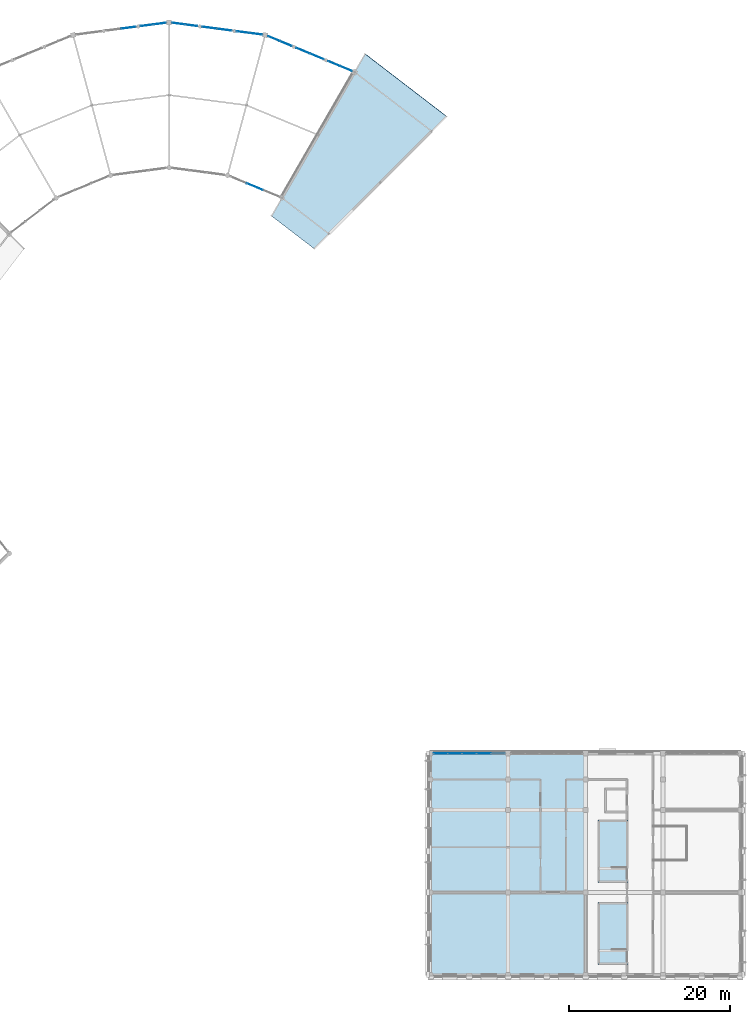
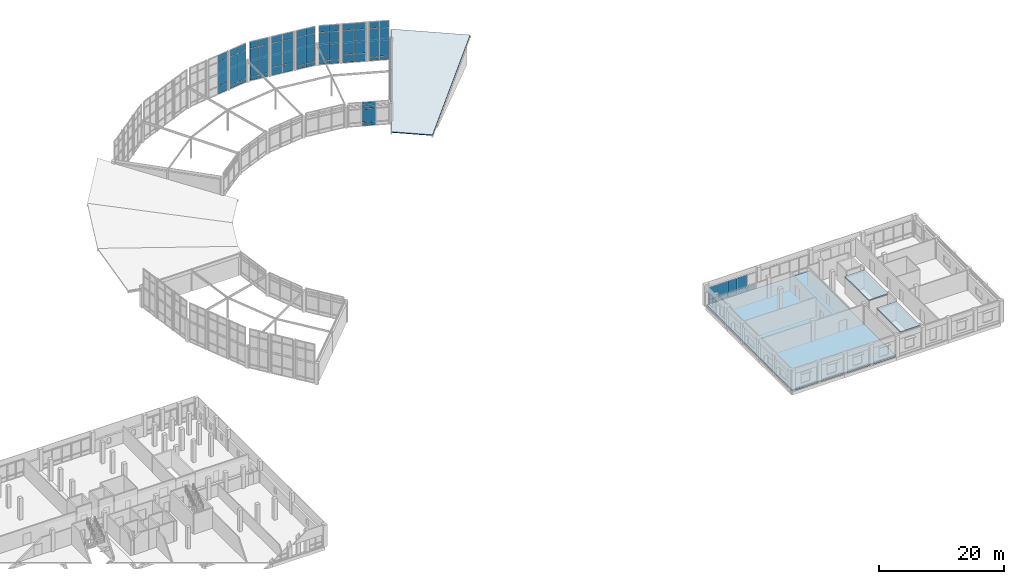
# One storey, part 71 of 93: 57 plates, 4 slabs, 10 elements without a shape of their own.
"""IFC4 building model written with IfcOpenShell, lengths in metres."""

from ifc_helpers import new_model, si_unit, direction, frame, origin, origin_2d, place, context, subcontext, project, spatial, polyline, rectangle, outline, extrude, material, layer, layer_set, type_object, element, aggregate, save


model = new_model("IFC4")

# Units and contexts
model_context = context("Model", 3, precision=1e-05, world=origin(), true_north=direction((0.0, 1.0)))
body_context = subcontext(model_context, "Body", "Model", "MODEL_VIEW")
ifc_project = project(units=[si_unit("LENGTHUNIT", "METRE"), si_unit("AREAUNIT", "SQUARE_METRE"), si_unit("VOLUMEUNIT", "CUBIC_METRE"), si_unit("PLANEANGLEUNIT", "RADIAN"), si_unit("MASSUNIT", "GRAM", prefix="KILO")], contexts=[model_context])

# Site, building, storey
site_placement = place(None, origin())
site = spatial("IfcSite", under=ifc_project, at=site_placement, CompositionType="ELEMENT")
building_placement = place(site_placement, origin())
building = spatial("IfcBuilding", under=site, at=building_placement, Name="Vondelvale Polytechnic", CompositionType="ELEMENT")
storey_placement = place(building_placement, frame((0.0, 0.0, 18.0)))
storey = spatial("IfcBuildingStorey", under=building, at=storey_placement, Name="L04", CompositionType="ELEMENT", Elevation=18.0)

# Curtain wall, plates
ifc_material_1 = material(Name="Anodised extruded aluminium 6063-T6", Category="aluminium")
curtain_wall_type_1 = type_object("IfcCurtainWallType", Name="CW-STUDIO-NORTH", PredefinedType="NOTDEFINED", material=ifc_material_1)
curtain_wall_1_placement = place(storey_placement, origin())
curtain_wall_1 = element("IfcCurtainWall", 1, at=curtain_wall_1_placement, inside=storey, type_object=curtain_wall_type_1, Name="L04 architectural curtain wall CW-01-068", PredefinedType="NOTDEFINED")
ifc_material_2 = material(Name="Double-glazed low-E insulated architectural glass", Category="glass")
ifc_layer_1 = layer(ifc_material_2, 0.028076171875)
ifc_layer_set_1 = layer_set([ifc_layer_1], Name="CW-PANEL-GLAZED")
plate_type_1 = type_object("IfcPlateType", Name="CW-PANEL-GLAZED", PredefinedType="CURTAIN_PANEL", material=ifc_layer_set_1)
plate_1_placement = place(storey_placement, frame((135.64013671875, 27.39990234375, 0.8798828125), z_axis=(0.0, 0.0, 1.0), x_axis=(1.0, 0.0, 0.0)))
plate_1 = element("IfcPlate", 2, at=plate_1_placement, type_object=plate_type_1, Name="CW-01-068 panel 1.2", PredefinedType="CURTAIN_PANEL", context=body_context, shape_type="SweptSolid", body=[
    extrude(rectangle(XDim=1.6904296875, YDim=0.028076171875, at=origin_2d()), origin(), (0.0, 0.0, 1.0), 2.360107421875),
])
plate_2_placement = place(storey_placement, frame((137.412109375, 27.39990234375, 0.8798828125), z_axis=(0.0, 0.0, 1.0), x_axis=(1.0, 0.0, 0.0)))
plate_2 = element("IfcPlate", 3, at=plate_2_placement, type_object=plate_type_1, Name="CW-01-068 panel 2.2", PredefinedType="CURTAIN_PANEL", context=body_context, shape_type="SweptSolid", body=[
    extrude(rectangle(XDim=1.722900390625, YDim=0.028076171875, at=origin_2d()), origin(), (0.0, 0.0, 1.0), 2.360107421875),
])
plate_3_placement = place(storey_placement, frame((139.199951171875, 27.39990234375, 0.8798828125), z_axis=(0.0, 0.0, 1.0), x_axis=(1.0, 0.0, 0.0)))
plate_3 = element("IfcPlate", 4, at=plate_3_placement, type_object=plate_type_1, Name="CW-01-068 panel 3.2", PredefinedType="CURTAIN_PANEL", context=body_context, shape_type="SweptSolid", body=[
    extrude(rectangle(XDim=1.722900390625, YDim=0.028076171875, at=origin_2d()), origin(), (0.0, 0.0, 1.0), 2.360107421875),
])
plate_4_placement = place(storey_placement, frame((140.988037109375, 27.39990234375, 0.8798828125), z_axis=(0.0, 0.0, 1.0), x_axis=(1.0, 0.0, 0.0)))
plate_4 = element("IfcPlate", 5, at=plate_4_placement, type_object=plate_type_1, Name="CW-01-068 panel 4.2", PredefinedType="CURTAIN_PANEL", context=body_context, shape_type="SweptSolid", body=[
    extrude(rectangle(XDim=1.722900390625, YDim=0.028076171875, at=origin_2d()), origin(), (0.0, 0.0, 1.0), 2.360107421875),
])

curtain_wall_type_2 = type_object("IfcCurtainWallType", Name="CW-RING-CLOISTER", PredefinedType="NOTDEFINED", material=ifc_material_1)
curtain_wall_2_placement = place(storey_placement, origin())
curtain_wall_2 = element("IfcCurtainWall", 6, at=curtain_wall_2_placement, inside=storey, type_object=curtain_wall_type_2, Name="L04 architectural curtain wall CW-03-127", PredefinedType="NOTDEFINED")
plate_5_placement = place(storey_placement, frame((112.62353515625, 97.647216796875, 0.78271484375), z_axis=(0.0, 0.0, 1.0), x_axis=(-0.923881562419, 0.382678531697, 0.0)))
plate_5 = element("IfcPlate", 7, at=plate_5_placement, type_object=plate_type_1, Name="CW-03-127 panel 2.2", PredefinedType="CURTAIN_PANEL", context=body_context, shape_type="SweptSolid", body=[
    extrude(rectangle(XDim=2.146484375, YDim=0.028076171875, at=origin_2d()), origin(), (0.0, 0.0, 1.0), 2.548095703125),
])
plate_6_placement = place(storey_placement, frame((112.62353515625, 97.647216796875, 3.395751953125), z_axis=(0.0, 0.0, 1.0), x_axis=(-0.923881562419, 0.382678531697, 0.0)))
plate_6 = element("IfcPlate", 8, at=plate_6_placement, type_object=plate_type_1, Name="CW-03-127 panel 2.3", PredefinedType="CURTAIN_PANEL", context=body_context, shape_type="SweptSolid", body=[
    extrude(rectangle(XDim=2.146484375, YDim=0.028076171875, at=origin_2d()), origin(), (0.0, 0.0, 1.0), 1.25244140625),
])

ifc_material_3 = material(Name="Glulam GL18 structural Tasmanian oak (fb = 42 MPa)", Category="wood")
curtain_wall_type_3 = type_object("IfcCurtainWallType", Name="CW-RING-OUTER", PredefinedType="NOTDEFINED", material=ifc_material_3)
curtain_wall_3_placement = place(storey_placement, origin())
curtain_wall_3 = element("IfcCurtainWall", 9, at=curtain_wall_3_placement, inside=storey, type_object=curtain_wall_type_3, Name="L04 architectural curtain wall CW-04-128", PredefinedType="NOTDEFINED")
plate_7_placement = place(storey_placement, frame((123.92578125, 112.2822265625, 0.780029296875), z_axis=(0.0, 0.0, 1.0), x_axis=(-0.923882033442, 0.382677394529, 0.0)))
plate_7 = element("IfcPlate", 10, at=plate_7_placement, type_object=plate_type_1, Name="CW-04-128 panel 1.2", PredefinedType="CURTAIN_PANEL", context=body_context, shape_type="SweptSolid", body=[
    extrude(rectangle(XDim=1.530029296875, YDim=0.028076171875, at=origin_2d()), origin(), (0.0, 0.0, 1.0), 5.50146484375),
])
plate_8_placement = place(storey_placement, frame((123.92578125, 112.2822265625, 6.34130859375), z_axis=(0.0, 0.0, 1.0), x_axis=(-0.923882033442, 0.382677394529, 0.0)))
plate_8 = element("IfcPlate", 11, at=plate_8_placement, type_object=plate_type_1, Name="CW-04-128 panel 1.3", PredefinedType="CURTAIN_PANEL", context=body_context, shape_type="SweptSolid", body=[
    extrude(rectangle(XDim=1.530029296875, YDim=0.028076171875, at=origin_2d()), origin(), (0.0, 0.0, 1.0), 1.260009765625),
])
plate_9_placement = place(storey_placement, frame((122.4521484375, 112.892578125, 0.780029296875), z_axis=(0.0, 0.0, 1.0), x_axis=(-0.923882033442, 0.382677394529, 0.0)))
plate_9 = element("IfcPlate", 12, at=plate_9_placement, type_object=plate_type_1, Name="CW-04-128 panel 2.2", PredefinedType="CURTAIN_PANEL", context=body_context, shape_type="SweptSolid", body=[
    extrude(rectangle(XDim=1.530029296875, YDim=0.028076171875, at=origin_2d()), origin(), (0.0, 0.0, 1.0), 5.50146484375),
])
plate_10_placement = place(storey_placement, frame((122.4521484375, 112.892578125, 6.34130859375), z_axis=(0.0, 0.0, 1.0), x_axis=(-0.923882033442, 0.382677394529, 0.0)))
plate_10 = element("IfcPlate", 13, at=plate_10_placement, type_object=plate_type_1, Name="CW-04-128 panel 2.3", PredefinedType="CURTAIN_PANEL", context=body_context, shape_type="SweptSolid", body=[
    extrude(rectangle(XDim=1.530029296875, YDim=0.028076171875, at=origin_2d()), origin(), (0.0, 0.0, 1.0), 1.260009765625),
])

curtain_wall_4_placement = place(storey_placement, origin())
curtain_wall_4 = element("IfcCurtainWall", 14, at=curtain_wall_4_placement, inside=storey, type_object=curtain_wall_type_3, Name="L04 architectural curtain wall CW-04-129", PredefinedType="NOTDEFINED")
plate_11_placement = place(storey_placement, frame((120.318603515625, 113.7763671875, 1.630126953125), z_axis=(0.0, 0.0, 1.0), x_axis=(-0.92387490701, 0.382694599123, 0.0)))
plate_11 = element("IfcPlate", 15, at=plate_11_placement, type_object=plate_type_1, Name="CW-04-129 panel 1.2", PredefinedType="CURTAIN_PANEL", context=body_context, shape_type="SweptSolid", body=[
    extrude(rectangle(XDim=1.80908203125, YDim=0.028076171875, at=origin_2d()), origin(), (0.0, 0.0, 1.0), 4.6513671875),
])
plate_12_placement = place(storey_placement, frame((120.318603515625, 113.7763671875, 6.34130859375), z_axis=(0.0, 0.0, 1.0), x_axis=(-0.92387490701, 0.382694599123, 0.0)))
plate_12 = element("IfcPlate", 16, at=plate_12_placement, type_object=plate_type_1, Name="CW-04-129 panel 1.3", PredefinedType="CURTAIN_PANEL", context=body_context, shape_type="SweptSolid", body=[
    extrude(rectangle(XDim=1.80908203125, YDim=0.028076171875, at=origin_2d()), origin(), (0.0, 0.0, 1.0), 1.260009765625),
])
plate_13_placement = place(storey_placement, frame((118.587158203125, 114.493408203125, 1.630126953125), z_axis=(0.0, 0.0, 1.0), x_axis=(-0.92387490701, 0.382694599123, 0.0)))
plate_13 = element("IfcPlate", 17, at=plate_13_placement, type_object=plate_type_1, Name="CW-04-129 panel 2.2", PredefinedType="CURTAIN_PANEL", context=body_context, shape_type="SweptSolid", body=[
    extrude(rectangle(XDim=1.80908203125, YDim=0.028076171875, at=origin_2d()), origin(), (0.0, 0.0, 1.0), 4.6513671875),
])
plate_14_placement = place(storey_placement, frame((118.587158203125, 114.493408203125, 6.34130859375), z_axis=(0.0, 0.0, 1.0), x_axis=(-0.92387490701, 0.382694599123, 0.0)))
plate_14 = element("IfcPlate", 18, at=plate_14_placement, type_object=plate_type_1, Name="CW-04-129 panel 2.3", PredefinedType="CURTAIN_PANEL", context=body_context, shape_type="SweptSolid", body=[
    extrude(rectangle(XDim=1.80908203125, YDim=0.028076171875, at=origin_2d()), origin(), (0.0, 0.0, 1.0), 1.260009765625),
])

curtain_wall_5_placement = place(storey_placement, origin())
curtain_wall_5 = element("IfcCurtainWall", 19, at=curtain_wall_5_placement, inside=storey, type_object=curtain_wall_type_3, Name="L04 architectural curtain wall CW-04-130", PredefinedType="NOTDEFINED")
plate_15_placement = place(storey_placement, frame((116.453369140625, 115.377197265625, 0.780029296875), z_axis=(0.0, 0.0, 1.0), x_axis=(-0.923882033442, 0.382677394529, 0.0)))
plate_15 = element("IfcPlate", 20, at=plate_15_placement, type_object=plate_type_1, Name="CW-04-130 panel 1.2", PredefinedType="CURTAIN_PANEL", context=body_context, shape_type="SweptSolid", body=[
    extrude(rectangle(XDim=1.530029296875, YDim=0.028076171875, at=origin_2d()), origin(), (0.0, 0.0, 1.0), 5.50146484375),
])
plate_16_placement = place(storey_placement, frame((116.453369140625, 115.377197265625, 6.34130859375), z_axis=(0.0, 0.0, 1.0), x_axis=(-0.923882033442, 0.382677394529, 0.0)))
plate_16 = element("IfcPlate", 21, at=plate_16_placement, type_object=plate_type_1, Name="CW-04-130 panel 1.3", PredefinedType="CURTAIN_PANEL", context=body_context, shape_type="SweptSolid", body=[
    extrude(rectangle(XDim=1.530029296875, YDim=0.028076171875, at=origin_2d()), origin(), (0.0, 0.0, 1.0), 1.260009765625),
])
plate_17_placement = place(storey_placement, frame((114.97998046875, 115.98779296875, 0.780029296875), z_axis=(0.0, 0.0, 1.0), x_axis=(-0.923882033442, 0.382677394529, 0.0)))
plate_17 = element("IfcPlate", 22, at=plate_17_placement, type_object=plate_type_1, Name="CW-04-130 panel 2.2", PredefinedType="CURTAIN_PANEL", context=body_context, shape_type="SweptSolid", body=[
    extrude(rectangle(XDim=1.530029296875, YDim=0.028076171875, at=origin_2d()), origin(), (0.0, 0.0, 1.0), 5.50146484375),
])
plate_18_placement = place(storey_placement, frame((114.97998046875, 115.98779296875, 6.34130859375), z_axis=(0.0, 0.0, 1.0), x_axis=(-0.923882033442, 0.382677394529, 0.0)))
plate_18 = element("IfcPlate", 23, at=plate_18_placement, type_object=plate_type_1, Name="CW-04-130 panel 2.3", PredefinedType="CURTAIN_PANEL", context=body_context, shape_type="SweptSolid", body=[
    extrude(rectangle(XDim=1.530029296875, YDim=0.028076171875, at=origin_2d()), origin(), (0.0, 0.0, 1.0), 1.260009765625),
])

curtain_wall_6_placement = place(storey_placement, origin())
curtain_wall_6 = element("IfcCurtainWall", 24, at=curtain_wall_6_placement, inside=storey, type_object=curtain_wall_type_3, Name="L04 architectural curtain wall CW-04-148", PredefinedType="NOTDEFINED")
plate_19_placement = place(storey_placement, frame((112.7529296875, 116.584228515625, 0.780029296875), z_axis=(0.0, 0.0, 1.0), x_axis=(-0.991443102996, 0.130539547729, 0.0)))
plate_19 = element("IfcPlate", 25, at=plate_19_placement, type_object=plate_type_1, Name="CW-04-148 panel 1.2", PredefinedType="CURTAIN_PANEL", context=body_context, shape_type="SweptSolid", body=[
    extrude(rectangle(XDim=1.530029296875, YDim=0.028076171875, at=origin_2d()), origin(), (0.0, 0.0, 1.0), 5.50146484375),
])
plate_20_placement = place(storey_placement, frame((112.7529296875, 116.584228515625, 6.34130859375), z_axis=(0.0, 0.0, 1.0), x_axis=(-0.991443102996, 0.130539547729, 0.0)))
plate_20 = element("IfcPlate", 26, at=plate_20_placement, type_object=plate_type_1, Name="CW-04-148 panel 1.3", PredefinedType="CURTAIN_PANEL", context=body_context, shape_type="SweptSolid", body=[
    extrude(rectangle(XDim=1.530029296875, YDim=0.028076171875, at=origin_2d()), origin(), (0.0, 0.0, 1.0), 1.260009765625),
])
plate_21_placement = place(storey_placement, frame((111.171630859375, 116.79248046875, 0.780029296875), z_axis=(0.0, 0.0, 1.0), x_axis=(-0.991443102996, 0.130539547729, 0.0)))
plate_21 = element("IfcPlate", 27, at=plate_21_placement, type_object=plate_type_1, Name="CW-04-148 panel 2.2", PredefinedType="CURTAIN_PANEL", context=body_context, shape_type="SweptSolid", body=[
    extrude(rectangle(XDim=1.530029296875, YDim=0.028076171875, at=origin_2d()), origin(), (0.0, 0.0, 1.0), 5.50146484375),
])
plate_22_placement = place(storey_placement, frame((111.171630859375, 116.79248046875, 6.34130859375), z_axis=(0.0, 0.0, 1.0), x_axis=(-0.991443102996, 0.130539547729, 0.0)))
plate_22 = element("IfcPlate", 28, at=plate_22_placement, type_object=plate_type_1, Name="CW-04-148 panel 2.3", PredefinedType="CURTAIN_PANEL", context=body_context, shape_type="SweptSolid", body=[
    extrude(rectangle(XDim=1.530029296875, YDim=0.028076171875, at=origin_2d()), origin(), (0.0, 0.0, 1.0), 1.260009765625),
])

curtain_wall_7_placement = place(storey_placement, origin())
curtain_wall_7 = element("IfcCurtainWall", 29, at=curtain_wall_7_placement, inside=storey, type_object=curtain_wall_type_3, Name="L04 architectural curtain wall CW-04-149", PredefinedType="NOTDEFINED")
plate_23_placement = place(storey_placement, frame((108.8818359375, 117.093994140625, 1.630126953125), z_axis=(0.0, 0.0, 1.0), x_axis=(-0.991448671082, 0.130497251349, 0.0)))
plate_23 = element("IfcPlate", 30, at=plate_23_placement, type_object=plate_type_1, Name="CW-04-149 panel 1.2", PredefinedType="CURTAIN_PANEL", context=body_context, shape_type="SweptSolid", body=[
    extrude(rectangle(XDim=1.80908203125, YDim=0.028076171875, at=origin_2d()), origin(), (0.0, 0.0, 1.0), 4.6513671875),
])
plate_24_placement = place(storey_placement, frame((108.8818359375, 117.093994140625, 6.34130859375), z_axis=(0.0, 0.0, 1.0), x_axis=(-0.991448671082, 0.130497251349, 0.0)))
plate_24 = element("IfcPlate", 31, at=plate_24_placement, type_object=plate_type_1, Name="CW-04-149 panel 1.3", PredefinedType="CURTAIN_PANEL", context=body_context, shape_type="SweptSolid", body=[
    extrude(rectangle(XDim=1.80908203125, YDim=0.028076171875, at=origin_2d()), origin(), (0.0, 0.0, 1.0), 1.260009765625),
])
plate_25_placement = place(storey_placement, frame((107.02392578125, 117.338623046875, 1.630126953125), z_axis=(0.0, 0.0, 1.0), x_axis=(-0.991448671082, 0.130497251349, 0.0)))
plate_25 = element("IfcPlate", 32, at=plate_25_placement, type_object=plate_type_1, Name="CW-04-149 panel 2.2", PredefinedType="CURTAIN_PANEL", context=body_context, shape_type="SweptSolid", body=[
    extrude(rectangle(XDim=1.80908203125, YDim=0.028076171875, at=origin_2d()), origin(), (0.0, 0.0, 1.0), 4.6513671875),
])
plate_26_placement = place(storey_placement, frame((107.02392578125, 117.338623046875, 6.34130859375), z_axis=(0.0, 0.0, 1.0), x_axis=(-0.991448671082, 0.130497251349, 0.0)))
plate_26 = element("IfcPlate", 33, at=plate_26_placement, type_object=plate_type_1, Name="CW-04-149 panel 2.3", PredefinedType="CURTAIN_PANEL", context=body_context, shape_type="SweptSolid", body=[
    extrude(rectangle(XDim=1.80908203125, YDim=0.028076171875, at=origin_2d()), origin(), (0.0, 0.0, 1.0), 1.260009765625),
])

curtain_wall_8_placement = place(storey_placement, origin())
curtain_wall_8 = element("IfcCurtainWall", 34, at=curtain_wall_8_placement, inside=storey, type_object=curtain_wall_type_3, Name="L04 architectural curtain wall CW-04-150", PredefinedType="NOTDEFINED")
plate_27_placement = place(storey_placement, frame((104.734130859375, 117.64013671875, 0.780029296875), z_axis=(0.0, 0.0, 1.0), x_axis=(-0.991443102996, 0.130539547729, 0.0)))
plate_27 = element("IfcPlate", 35, at=plate_27_placement, type_object=plate_type_1, Name="CW-04-150 panel 1.2", PredefinedType="CURTAIN_PANEL", context=body_context, shape_type="SweptSolid", body=[
    extrude(rectangle(XDim=1.530029296875, YDim=0.028076171875, at=origin_2d()), origin(), (0.0, 0.0, 1.0), 5.50146484375),
])
plate_28_placement = place(storey_placement, frame((104.734130859375, 117.64013671875, 6.34130859375), z_axis=(0.0, 0.0, 1.0), x_axis=(-0.991443102996, 0.130539547729, 0.0)))
plate_28 = element("IfcPlate", 36, at=plate_28_placement, type_object=plate_type_1, Name="CW-04-150 panel 1.3", PredefinedType="CURTAIN_PANEL", context=body_context, shape_type="SweptSolid", body=[
    extrude(rectangle(XDim=1.530029296875, YDim=0.028076171875, at=origin_2d()), origin(), (0.0, 0.0, 1.0), 1.260009765625),
])
plate_29_placement = place(storey_placement, frame((103.15283203125, 117.84814453125, 0.780029296875), z_axis=(0.0, 0.0, 1.0), x_axis=(-0.991443102996, 0.130539547729, 0.0)))
plate_29 = element("IfcPlate", 37, at=plate_29_placement, type_object=plate_type_1, Name="CW-04-150 panel 2.2", PredefinedType="CURTAIN_PANEL", context=body_context, shape_type="SweptSolid", body=[
    extrude(rectangle(XDim=1.530029296875, YDim=0.028076171875, at=origin_2d()), origin(), (0.0, 0.0, 1.0), 5.50146484375),
])
plate_30_placement = place(storey_placement, frame((103.15283203125, 117.84814453125, 6.34130859375), z_axis=(0.0, 0.0, 1.0), x_axis=(-0.991443102996, 0.130539547729, 0.0)))
plate_30 = element("IfcPlate", 38, at=plate_30_placement, type_object=plate_type_1, Name="CW-04-150 panel 2.3", PredefinedType="CURTAIN_PANEL", context=body_context, shape_type="SweptSolid", body=[
    extrude(rectangle(XDim=1.530029296875, YDim=0.028076171875, at=origin_2d()), origin(), (0.0, 0.0, 1.0), 1.260009765625),
])

curtain_wall_9_placement = place(storey_placement, origin())
curtain_wall_9 = element("IfcCurtainWall", 39, at=curtain_wall_9_placement, inside=storey, type_object=curtain_wall_type_3, Name="L04 architectural curtain wall CW-04-168", PredefinedType="NOTDEFINED")
plate_31_placement = place(storey_placement, frame((100.84716796875, 117.84814453125, 0.780029296875), z_axis=(0.0, 0.0, 1.0), x_axis=(-0.991443102996, -0.130539547729, 0.0)))
plate_31 = element("IfcPlate", 40, at=plate_31_placement, type_object=plate_type_1, Name="CW-04-168 panel 1.2", PredefinedType="CURTAIN_PANEL", context=body_context, shape_type="SweptSolid", body=[
    extrude(rectangle(XDim=1.530029296875, YDim=0.028076171875, at=origin_2d()), origin(), (0.0, 0.0, 1.0), 5.50146484375),
])
plate_32_placement = place(storey_placement, frame((100.84716796875, 117.84814453125, 6.34130859375), z_axis=(0.0, 0.0, 1.0), x_axis=(-0.991443102996, -0.130539547729, 0.0)))
plate_32 = element("IfcPlate", 41, at=plate_32_placement, type_object=plate_type_1, Name="CW-04-168 panel 1.3", PredefinedType="CURTAIN_PANEL", context=body_context, shape_type="SweptSolid", body=[
    extrude(rectangle(XDim=1.530029296875, YDim=0.028076171875, at=origin_2d()), origin(), (0.0, 0.0, 1.0), 1.260009765625),
])
plate_33_placement = place(storey_placement, frame((99.265869140625, 117.64013671875, 0.780029296875), z_axis=(0.0, 0.0, 1.0), x_axis=(-0.991443102996, -0.130539547729, 0.0)))
plate_33 = element("IfcPlate", 42, at=plate_33_placement, type_object=plate_type_1, Name="CW-04-168 panel 2.2", PredefinedType="CURTAIN_PANEL", context=body_context, shape_type="SweptSolid", body=[
    extrude(rectangle(XDim=1.530029296875, YDim=0.028076171875, at=origin_2d()), origin(), (0.0, 0.0, 1.0), 5.50146484375),
])
plate_34_placement = place(storey_placement, frame((99.265869140625, 117.64013671875, 6.34130859375), z_axis=(0.0, 0.0, 1.0), x_axis=(-0.991443102996, -0.130539547729, 0.0)))
plate_34 = element("IfcPlate", 43, at=plate_34_placement, type_object=plate_type_1, Name="CW-04-168 panel 2.3", PredefinedType="CURTAIN_PANEL", context=body_context, shape_type="SweptSolid", body=[
    extrude(rectangle(XDim=1.530029296875, YDim=0.028076171875, at=origin_2d()), origin(), (0.0, 0.0, 1.0), 1.260009765625),
])

curtain_wall_10_placement = place(storey_placement, origin())
curtain_wall_10 = element("IfcCurtainWall", 44, at=curtain_wall_10_placement, inside=storey, type_object=curtain_wall_type_3, Name="L04 architectural curtain wall CW-04-169", PredefinedType="NOTDEFINED")
plate_35_placement = place(storey_placement, frame((96.97607421875, 117.338623046875, 1.630126953125), z_axis=(0.0, 0.0, 1.0), x_axis=(-0.991448671082, -0.130497251349, 0.0)))
plate_35 = element("IfcPlate", 45, at=plate_35_placement, type_object=plate_type_1, Name="CW-04-169 panel 1.2", PredefinedType="CURTAIN_PANEL", context=body_context, shape_type="SweptSolid", body=[
    extrude(rectangle(XDim=1.80908203125, YDim=0.028076171875, at=origin_2d()), origin(), (0.0, 0.0, 1.0), 4.6513671875),
])
plate_36_placement = place(storey_placement, frame((96.97607421875, 117.338623046875, 6.34130859375), z_axis=(0.0, 0.0, 1.0), x_axis=(-0.991448671082, -0.130497251349, 0.0)))
plate_36 = element("IfcPlate", 46, at=plate_36_placement, type_object=plate_type_1, Name="CW-04-169 panel 1.3", PredefinedType="CURTAIN_PANEL", context=body_context, shape_type="SweptSolid", body=[
    extrude(rectangle(XDim=1.80908203125, YDim=0.028076171875, at=origin_2d()), origin(), (0.0, 0.0, 1.0), 1.260009765625),
])

# Plate
ifc_material_4 = material(Name="Engineered Tasmanian oak studio and bridge joinery")
ifc_layer_2 = layer(ifc_material_4, 0.0419921875)
ifc_layer_set_2 = layer_set([ifc_layer_2], Name="CW-PANEL-OAK")
plate_type_2 = type_object("IfcPlateType", Name="CW-PANEL-OAK", PredefinedType="CURTAIN_PANEL", material=ifc_layer_set_2)
plate_37_placement = place(storey_placement, frame((112.62353515625, 97.647216796875, 0.06494140625), z_axis=(0.0, 0.0, 1.0), x_axis=(-0.923881562419, 0.382678531697, 0.0)))
plate_37 = element("IfcPlate", 47, at=plate_37_placement, type_object=plate_type_2, Name="CW-03-127 panel 2.1", PredefinedType="CURTAIN_PANEL", context=body_context, shape_type="SweptSolid", body=[
    extrude(rectangle(XDim=2.146484375, YDim=0.0419921875, at=origin_2d()), origin(), (0.0, 0.0, 1.0), 0.652587890625),
])

aggregate(curtain_wall_2, [plate_37, plate_5, plate_6])

plate_38_placement = place(storey_placement, frame((120.318603515625, 113.7763671875, 0.06005859375), z_axis=(0.0, 0.0, 1.0), x_axis=(-0.92387490701, 0.382694599123, 0.0)))
plate_38 = element("IfcPlate", 48, at=plate_38_placement, type_object=plate_type_2, Name="CW-04-129 panel 1.1", PredefinedType="CURTAIN_PANEL", context=body_context, shape_type="SweptSolid", body=[
    extrude(rectangle(XDim=1.80908203125, YDim=0.0419921875, at=origin_2d()), origin(), (0.0, 0.0, 1.0), 1.510009765625),
])

plate_39_placement = place(storey_placement, frame((118.587158203125, 114.493408203125, 0.06005859375), z_axis=(0.0, 0.0, 1.0), x_axis=(-0.92387490701, 0.382694599123, 0.0)))
plate_39 = element("IfcPlate", 49, at=plate_39_placement, type_object=plate_type_2, Name="CW-04-129 panel 2.1", PredefinedType="CURTAIN_PANEL", context=body_context, shape_type="SweptSolid", body=[
    extrude(rectangle(XDim=1.80908203125, YDim=0.0419921875, at=origin_2d()), origin(), (0.0, 0.0, 1.0), 1.510009765625),
])

aggregate(curtain_wall_4, [plate_38, plate_11, plate_12, plate_39, plate_13, plate_14])

plate_40_placement = place(storey_placement, frame((108.8818359375, 117.093994140625, 0.06005859375), z_axis=(0.0, 0.0, 1.0), x_axis=(-0.991448671082, 0.130497251349, 0.0)))
plate_40 = element("IfcPlate", 50, at=plate_40_placement, type_object=plate_type_2, Name="CW-04-149 panel 1.1", PredefinedType="CURTAIN_PANEL", context=body_context, shape_type="SweptSolid", body=[
    extrude(rectangle(XDim=1.80908203125, YDim=0.0419921875, at=origin_2d()), origin(), (0.0, 0.0, 1.0), 1.510009765625),
])

plate_41_placement = place(storey_placement, frame((107.02392578125, 117.338623046875, 0.06005859375), z_axis=(0.0, 0.0, 1.0), x_axis=(-0.991448671082, 0.130497251349, 0.0)))
plate_41 = element("IfcPlate", 51, at=plate_41_placement, type_object=plate_type_2, Name="CW-04-149 panel 2.1", PredefinedType="CURTAIN_PANEL", context=body_context, shape_type="SweptSolid", body=[
    extrude(rectangle(XDim=1.80908203125, YDim=0.0419921875, at=origin_2d()), origin(), (0.0, 0.0, 1.0), 1.510009765625),
])

aggregate(curtain_wall_7, [plate_40, plate_23, plate_24, plate_41, plate_25, plate_26])

plate_42_placement = place(storey_placement, frame((96.97607421875, 117.338623046875, 0.06005859375), z_axis=(0.0, 0.0, 1.0), x_axis=(-0.991448671082, -0.130497251349, 0.0)))
plate_42 = element("IfcPlate", 52, at=plate_42_placement, type_object=plate_type_2, Name="CW-04-169 panel 1.1", PredefinedType="CURTAIN_PANEL", context=body_context, shape_type="SweptSolid", body=[
    extrude(rectangle(XDim=1.80908203125, YDim=0.0419921875, at=origin_2d()), origin(), (0.0, 0.0, 1.0), 1.510009765625),
])

aggregate(curtain_wall_10, [plate_42, plate_35, plate_36])

ifc_material_5 = material(Name="Kiln-fired architectural terracotta", Category="masonry")
ifc_layer_3 = layer(ifc_material_5, 0.035888671875)
ifc_layer_set_3 = layer_set([ifc_layer_3], Name="CW-PANEL-SPANDREL")
plate_type_3 = type_object("IfcPlateType", Name="CW-PANEL-SPANDREL", PredefinedType="CURTAIN_PANEL", material=ifc_layer_set_3)
plate_43_placement = place(storey_placement, frame((135.64013671875, 27.39990234375, 0.06005859375), z_axis=(0.0, 0.0, 1.0), x_axis=(1.0, 0.0, 0.0)))
plate_43 = element("IfcPlate", 53, at=plate_43_placement, type_object=plate_type_3, Name="CW-01-068 panel 1.1", PredefinedType="CURTAIN_PANEL", context=body_context, shape_type="SweptSolid", body=[
    extrude(rectangle(XDim=1.6904296875, YDim=0.035888671875, at=origin_2d()), origin(), (0.0, 0.0, 1.0), 0.760009765625),
])

plate_44_placement = place(storey_placement, frame((137.412109375, 27.39990234375, 0.06005859375), z_axis=(0.0, 0.0, 1.0), x_axis=(1.0, 0.0, 0.0)))
plate_44 = element("IfcPlate", 54, at=plate_44_placement, type_object=plate_type_3, Name="CW-01-068 panel 2.1", PredefinedType="CURTAIN_PANEL", context=body_context, shape_type="SweptSolid", body=[
    extrude(rectangle(XDim=1.722900390625, YDim=0.035888671875, at=origin_2d()), origin(), (0.0, 0.0, 1.0), 0.760009765625),
])

plate_45_placement = place(storey_placement, frame((139.199951171875, 27.39990234375, 0.06005859375), z_axis=(0.0, 0.0, 1.0), x_axis=(1.0, 0.0, 0.0)))
plate_45 = element("IfcPlate", 55, at=plate_45_placement, type_object=plate_type_3, Name="CW-01-068 panel 3.1", PredefinedType="CURTAIN_PANEL", context=body_context, shape_type="SweptSolid", body=[
    extrude(rectangle(XDim=1.722900390625, YDim=0.035888671875, at=origin_2d()), origin(), (0.0, 0.0, 1.0), 0.760009765625),
])

plate_46_placement = place(storey_placement, frame((140.988037109375, 27.39990234375, 0.06005859375), z_axis=(0.0, 0.0, 1.0), x_axis=(1.0, 0.0, 0.0)))
plate_46 = element("IfcPlate", 56, at=plate_46_placement, type_object=plate_type_3, Name="CW-01-068 panel 4.1", PredefinedType="CURTAIN_PANEL", context=body_context, shape_type="SweptSolid", body=[
    extrude(rectangle(XDim=1.722900390625, YDim=0.035888671875, at=origin_2d()), origin(), (0.0, 0.0, 1.0), 0.760009765625),
])

plate_47_placement = place(storey_placement, frame((142.759765625, 27.39990234375, 0.06005859375), z_axis=(0.0, 0.0, 1.0), x_axis=(1.0, 0.0, 0.0)))
plate_47 = element("IfcPlate", 57, at=plate_47_placement, type_object=plate_type_3, Name="CW-01-068 panel 5.1", PredefinedType="CURTAIN_PANEL", context=body_context, shape_type="SweptSolid", body=[
    extrude(rectangle(XDim=1.6904296875, YDim=0.035888671875, at=origin_2d()), origin(), (0.0, 0.0, 1.0), 0.760009765625),
])

aggregate(curtain_wall_1, [plate_43, plate_1, plate_44, plate_2, plate_45, plate_3, plate_46, plate_4, plate_47])

plate_48_placement = place(storey_placement, frame((123.92578125, 112.2822265625, 0.06005859375), z_axis=(0.0, 0.0, 1.0), x_axis=(-0.923882033442, 0.382677394529, 0.0)))
plate_48 = element("IfcPlate", 58, at=plate_48_placement, type_object=plate_type_3, Name="CW-04-128 panel 1.1", PredefinedType="CURTAIN_PANEL", context=body_context, shape_type="SweptSolid", body=[
    extrude(rectangle(XDim=1.530029296875, YDim=0.035888671875, at=origin_2d()), origin(), (0.0, 0.0, 1.0), 0.659912109375),
])

plate_49_placement = place(storey_placement, frame((122.4521484375, 112.892578125, 0.06005859375), z_axis=(0.0, 0.0, 1.0), x_axis=(-0.923882033442, 0.382677394529, 0.0)))
plate_49 = element("IfcPlate", 59, at=plate_49_placement, type_object=plate_type_3, Name="CW-04-128 panel 2.1", PredefinedType="CURTAIN_PANEL", context=body_context, shape_type="SweptSolid", body=[
    extrude(rectangle(XDim=1.530029296875, YDim=0.035888671875, at=origin_2d()), origin(), (0.0, 0.0, 1.0), 0.659912109375),
])

aggregate(curtain_wall_3, [plate_48, plate_7, plate_8, plate_49, plate_9, plate_10])

plate_50_placement = place(storey_placement, frame((116.453369140625, 115.377197265625, 0.06005859375), z_axis=(0.0, 0.0, 1.0), x_axis=(-0.923882033442, 0.382677394529, 0.0)))
plate_50 = element("IfcPlate", 60, at=plate_50_placement, type_object=plate_type_3, Name="CW-04-130 panel 1.1", PredefinedType="CURTAIN_PANEL", context=body_context, shape_type="SweptSolid", body=[
    extrude(rectangle(XDim=1.530029296875, YDim=0.035888671875, at=origin_2d()), origin(), (0.0, 0.0, 1.0), 0.659912109375),
])

plate_51_placement = place(storey_placement, frame((114.97998046875, 115.98779296875, 0.06005859375), z_axis=(0.0, 0.0, 1.0), x_axis=(-0.923882033442, 0.382677394529, 0.0)))
plate_51 = element("IfcPlate", 61, at=plate_51_placement, type_object=plate_type_3, Name="CW-04-130 panel 2.1", PredefinedType="CURTAIN_PANEL", context=body_context, shape_type="SweptSolid", body=[
    extrude(rectangle(XDim=1.530029296875, YDim=0.035888671875, at=origin_2d()), origin(), (0.0, 0.0, 1.0), 0.659912109375),
])

aggregate(curtain_wall_5, [plate_50, plate_15, plate_16, plate_51, plate_17, plate_18])

plate_52_placement = place(storey_placement, frame((112.7529296875, 116.584228515625, 0.06005859375), z_axis=(0.0, 0.0, 1.0), x_axis=(-0.991443102996, 0.130539547729, 0.0)))
plate_52 = element("IfcPlate", 62, at=plate_52_placement, type_object=plate_type_3, Name="CW-04-148 panel 1.1", PredefinedType="CURTAIN_PANEL", context=body_context, shape_type="SweptSolid", body=[
    extrude(rectangle(XDim=1.530029296875, YDim=0.035888671875, at=origin_2d()), origin(), (0.0, 0.0, 1.0), 0.659912109375),
])

plate_53_placement = place(storey_placement, frame((111.171630859375, 116.79248046875, 0.06005859375), z_axis=(0.0, 0.0, 1.0), x_axis=(-0.991443102996, 0.130539547729, 0.0)))
plate_53 = element("IfcPlate", 63, at=plate_53_placement, type_object=plate_type_3, Name="CW-04-148 panel 2.1", PredefinedType="CURTAIN_PANEL", context=body_context, shape_type="SweptSolid", body=[
    extrude(rectangle(XDim=1.530029296875, YDim=0.035888671875, at=origin_2d()), origin(), (0.0, 0.0, 1.0), 0.659912109375),
])

aggregate(curtain_wall_6, [plate_52, plate_19, plate_20, plate_53, plate_21, plate_22])

plate_54_placement = place(storey_placement, frame((104.734130859375, 117.64013671875, 0.06005859375), z_axis=(0.0, 0.0, 1.0), x_axis=(-0.991443102996, 0.130539547729, 0.0)))
plate_54 = element("IfcPlate", 64, at=plate_54_placement, type_object=plate_type_3, Name="CW-04-150 panel 1.1", PredefinedType="CURTAIN_PANEL", context=body_context, shape_type="SweptSolid", body=[
    extrude(rectangle(XDim=1.530029296875, YDim=0.035888671875, at=origin_2d()), origin(), (0.0, 0.0, 1.0), 0.659912109375),
])

plate_55_placement = place(storey_placement, frame((103.15283203125, 117.84814453125, 0.06005859375), z_axis=(0.0, 0.0, 1.0), x_axis=(-0.991443102996, 0.130539547729, 0.0)))
plate_55 = element("IfcPlate", 65, at=plate_55_placement, type_object=plate_type_3, Name="CW-04-150 panel 2.1", PredefinedType="CURTAIN_PANEL", context=body_context, shape_type="SweptSolid", body=[
    extrude(rectangle(XDim=1.530029296875, YDim=0.035888671875, at=origin_2d()), origin(), (0.0, 0.0, 1.0), 0.659912109375),
])

aggregate(curtain_wall_8, [plate_54, plate_27, plate_28, plate_55, plate_29, plate_30])

plate_56_placement = place(storey_placement, frame((100.84716796875, 117.84814453125, 0.06005859375), z_axis=(0.0, 0.0, 1.0), x_axis=(-0.991443102996, -0.130539547729, 0.0)))
plate_56 = element("IfcPlate", 66, at=plate_56_placement, type_object=plate_type_3, Name="CW-04-168 panel 1.1", PredefinedType="CURTAIN_PANEL", context=body_context, shape_type="SweptSolid", body=[
    extrude(rectangle(XDim=1.530029296875, YDim=0.035888671875, at=origin_2d()), origin(), (0.0, 0.0, 1.0), 0.659912109375),
])

plate_57_placement = place(storey_placement, frame((99.265869140625, 117.64013671875, 0.06005859375), z_axis=(0.0, 0.0, 1.0), x_axis=(-0.991443102996, -0.130539547729, 0.0)))
plate_57 = element("IfcPlate", 67, at=plate_57_placement, type_object=plate_type_3, Name="CW-04-168 panel 2.1", PredefinedType="CURTAIN_PANEL", context=body_context, shape_type="SweptSolid", body=[
    extrude(rectangle(XDim=1.530029296875, YDim=0.035888671875, at=origin_2d()), origin(), (0.0, 0.0, 1.0), 0.659912109375),
])

aggregate(curtain_wall_9, [plate_56, plate_31, plate_32, plate_57, plate_33, plate_34])

# Slabs
ifc_material_6 = material(Name="Concrete N40 (f'c = 40 MPa)", Category="concrete")
ifc_layer_4 = layer(ifc_material_6, 0.25)
ifc_layer_set_4 = layer_set([ifc_layer_4], Name="SLB-LAB-250")
slab_type_1 = type_object("IfcSlabType", Name="SLB-LAB-250", PredefinedType="FLOOR", material=ifc_layer_set_4)
slab_1_placement = place(storey_placement, frame((0.0, 0.0, -0.25)))
element("IfcSlab", 68, at=slab_1_placement, inside=storey, type_object=slab_type_1, Name="L04 lecture wing slab W", PredefinedType="FLOOR", context=body_context, shape_type="SweptSolid", body=[
    extrude(outline(polyline([(134.39990234375, 0.0), (153.60009765625, 0.0), (153.60009765625, 27.39990234375), (134.39990234375, 27.39990234375), (134.39990234375, 0.0)])), origin(), (0.0, 0.0, 1.0), 0.25),
])
ifc_layer_5 = layer(ifc_material_6, 0.199951171875)
ifc_layer_set_5 = layer_set([ifc_layer_5], Name="SLB-ROOF-200")
slab_type_2 = type_object("IfcSlabType", Name="SLB-ROOF-200", PredefinedType="ROOF", material=ifc_layer_set_5)
slab_2_placement = place(storey_placement, frame((119.96044921875, 89.96044921875, 0.300048828125), z_axis=(-0.09922705884, -0.129315091006, 0.986626372054), x_axis=(0.697808153562, 0.697808137853, 0.161640290672)))
element("IfcSlab", 69, at=slab_2_placement, inside=storey, type_object=slab_type_2, Name="Ring inward-sloping dark roof slab sector 03", PredefinedType="ROOF", context=body_context, shape_type="SweptSolid", body=[
    extrude(outline(polyline([(0.0, 0.0), (23.50936714500494, -1.124100812432971e-15), (21.875071706991683, 12.581442118930237), (-0.8540313802620734, 6.575544080687173), (0.0, 0.0)])), origin(), (0.0, 0.0, -1.0), 0.199951171875),
])
slab_3_placement = place(storey_placement, frame((0.0, 0.0, 3.14990234375)))
element("IfcSlab", 70, at=slab_3_placement, inside=storey, type_object=slab_type_2, Name="ST-06 stair bulkhead roof slab", PredefinedType="ROOF", context=body_context, shape_type="SweptSolid", body=[
    extrude(outline(polyline([(158.85009765625, 1.25), (158.85009765625, 8.949951171875), (155.14990234375, 8.949951171875), (155.14990234375, 1.25), (158.85009765625, 1.25)])), origin(), (0.0, 0.0, 1.0), 0.2001953125),
])
slab_4_placement = place(storey_placement, frame((0.0, 0.0, 3.14990234375)))
element("IfcSlab", 71, at=slab_4_placement, inside=storey, type_object=slab_type_2, Name="ST-07 stair bulkhead roof slab", PredefinedType="ROOF", context=body_context, shape_type="SweptSolid", body=[
    extrude(outline(polyline([(158.85009765625, 11.449951171875), (158.85009765625, 19.14990234375), (155.14990234375, 19.14990234375), (155.14990234375, 11.449951171875), (158.85009765625, 11.449951171875)])), origin(), (0.0, 0.0, 1.0), 0.2001953125),
])

save(model, "model.ifc")
